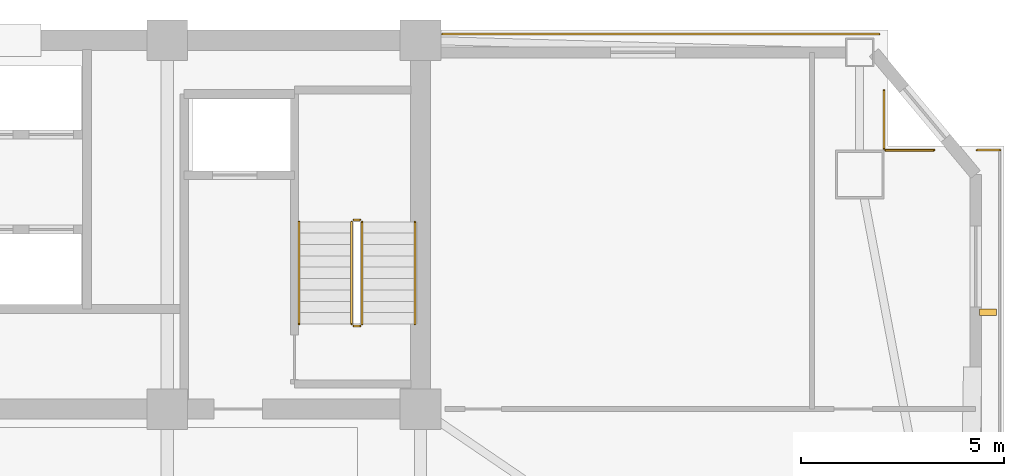
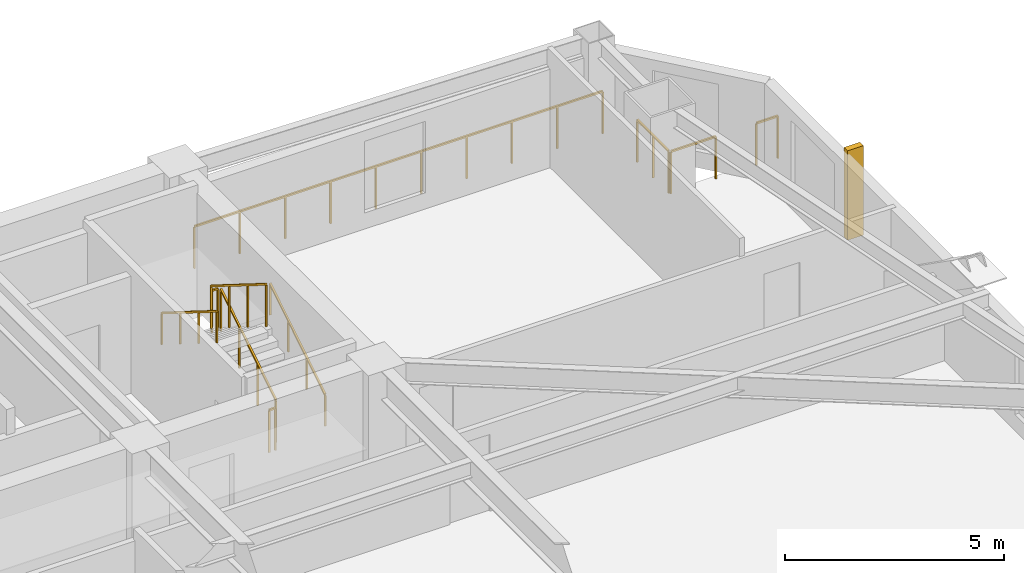
# One storey, part 15 of 15: 10 railings, 1 shading device.
"""IFC4 building model written with IfcOpenShell, lengths in metres."""

from ifc_helpers import new_model, si_unit, direction, frame, origin, origin_2d, place, context, subcontext, project, spatial, rectangle, extrude, source, transform, mapped, material, type_object, element, save


model = new_model("IFC4")

# Units and contexts
model_context = context("Model", 3, precision=1e-05, world=origin(), true_north=direction((0.0, 1.0)))
body_context = subcontext(model_context, "Body", "Model", "MODEL_VIEW")
ifc_project = project(units=[si_unit("LENGTHUNIT", "METRE"), si_unit("AREAUNIT", "SQUARE_METRE"), si_unit("VOLUMEUNIT", "CUBIC_METRE"), si_unit("PLANEANGLEUNIT", "RADIAN"), si_unit("MASSUNIT", "GRAM", prefix="KILO")], contexts=[model_context])

# Site, building, storey
site_placement = place(None, origin())
site = spatial("IfcSite", under=ifc_project, at=site_placement, CompositionType="ELEMENT")
building_placement = place(site_placement, origin())
building = spatial("IfcBuilding", under=site, at=building_placement, Name="Giltprow Tower", CompositionType="ELEMENT")
storey_placement = place(building_placement, frame((0.0, 0.0, 184.199951171875)))
storey = spatial("IfcBuildingStorey", under=building, at=storey_placement, Name="L46", CompositionType="ELEMENT", Elevation=184.199951171875)

# Railings
ifc_material = material(Name="Anodized bronze", Category="metal")
railing_type_1 = type_object("IfcRailingType", Name="RAIL-BALC-GUARD-1200", PredefinedType="BALUSTRADE", material=ifc_material)
railing_1_placement = place(storey_placement, frame((51.0849609375, 46.699951171875, 0.0)))
element("IfcRailing", 1, at=railing_1_placement, inside=storey, type_object=railing_type_1, Name="L46 Corner Apron Edge Balustrade 10", PredefinedType="BALUSTRADE", context=body_context, shape_type="SweptSolid", body=[
    extrude(rectangle(XDim=0.048095703125, YDim=0.048095703125, at=origin_2d()), frame((0.0, 0.0, 1.17578125), z_axis=(1.0, 0.0, 0.0), x_axis=(0.0, 1.0, 0.0)), (0.0, 0.0, 1.0), 10.78515625),
    extrude(rectangle(XDim=0.0419921875, YDim=0.0419921875, at=origin_2d()), origin(), (0.0, 0.0, 1.0), 1.15185546875),
    extrude(rectangle(XDim=0.0419921875, YDim=0.0419921875, at=origin_2d()), frame((1.1982421875, 0.0, 0.0)), (0.0, 0.0, 1.0), 1.15185546875),
    extrude(rectangle(XDim=0.0419921875, YDim=0.0419921875, at=origin_2d()), frame((2.396728515625, 0.0, 0.0)), (0.0, 0.0, 1.0), 1.15185546875),
    extrude(rectangle(XDim=0.0419921875, YDim=0.0419921875, at=origin_2d()), frame((3.594970703125, 0.0, 0.0)), (0.0, 0.0, 1.0), 1.15185546875),
    extrude(rectangle(XDim=0.0419921875, YDim=0.0419921875, at=origin_2d()), frame((4.79345703125, 0.0, 0.0)), (0.0, 0.0, 1.0), 1.15185546875),
    extrude(rectangle(XDim=0.0419921875, YDim=0.0419921875, at=origin_2d()), frame((5.99169921875, 0.0, 0.0)), (0.0, 0.0, 1.0), 1.15185546875),
    extrude(rectangle(XDim=0.0419921875, YDim=0.0419921875, at=origin_2d()), frame((7.190185546875, 0.0, 0.0)), (0.0, 0.0, 1.0), 1.15185546875),
    extrude(rectangle(XDim=0.0419921875, YDim=0.0419921875, at=origin_2d()), frame((8.388427734375, 0.0, 0.0)), (0.0, 0.0, 1.0), 1.15185546875),
    extrude(rectangle(XDim=0.0419921875, YDim=0.0419921875, at=origin_2d()), frame((9.5869140625, 0.0, 0.0)), (0.0, 0.0, 1.0), 1.15185546875),
    extrude(rectangle(XDim=0.0419921875, YDim=0.0419921875, at=origin_2d()), frame((10.78515625, 0.0, 0.0)), (0.0, 0.0, 1.0), 1.15185546875),
])
railing_2_placement = place(storey_placement, frame((61.986083984375, 45.31005859375, 0.0)))
element("IfcRailing", 2, at=railing_2_placement, inside=storey, type_object=railing_type_1, Name="L46 Corner Apron Edge Balustrade 11", PredefinedType="BALUSTRADE", context=body_context, shape_type="SweptSolid", body=[
    extrude(rectangle(XDim=0.048095703125, YDim=0.048095703125, at=origin_2d()), frame((0.0, 0.0, 1.17578125), z_axis=(0.0, -1.0, 0.0), x_axis=(1.0, 0.0, 0.0)), (0.0, 0.0, 1.0), 1.43603515625),
    extrude(rectangle(XDim=0.0419921875, YDim=0.0419921875, at=origin_2d()), origin(), (0.0, 0.0, 1.0), 1.15185546875),
    extrude(rectangle(XDim=0.0419921875, YDim=0.0419921875, at=origin_2d()), frame((0.0, -0.718017578125, 0.0)), (0.0, 0.0, 1.0), 1.15185546875),
    extrude(rectangle(XDim=0.0419921875, YDim=0.0419921875, at=origin_2d()), frame((0.0, -1.43603515625, 0.0)), (0.0, 0.0, 1.0), 1.15185546875),
])
railing_3_placement = place(storey_placement, frame((62.02099609375, 43.839111328125, 0.0)))
element("IfcRailing", 3, at=railing_3_placement, inside=storey, type_object=railing_type_1, Name="L46 Corner Apron Edge Balustrade 12", PredefinedType="BALUSTRADE", context=body_context, shape_type="SweptSolid", body=[
    extrude(rectangle(XDim=0.048095703125, YDim=0.048095703125, at=origin_2d()), frame((0.0, 0.0, 1.17578125), z_axis=(1.0, 0.0, 0.0), x_axis=(0.0, 1.0, 0.0)), (0.0, 0.0, 1.0), 1.19189453125),
    extrude(rectangle(XDim=0.0419921875, YDim=0.0419921875, at=origin_2d()), origin(), (0.0, 0.0, 1.0), 1.15185546875),
    extrude(rectangle(XDim=0.0419921875, YDim=0.0419921875, at=origin_2d()), frame((1.19189453125, 0.0, 0.0)), (0.0, 0.0, 1.0), 1.15185546875),
])
railing_4_placement = place(storey_placement, frame((64.280029296875, 43.839111328125, 0.0)))
element("IfcRailing", 4, at=railing_4_placement, inside=storey, type_object=railing_type_1, Name="L46 Corner Apron Edge Balustrade 13", PredefinedType="BALUSTRADE", context=body_context, shape_type="SweptSolid", body=[
    extrude(rectangle(XDim=0.048095703125, YDim=0.048095703125, at=origin_2d()), frame((0.0, 0.0, 1.17578125), z_axis=(1.0, 0.0, 0.0), x_axis=(0.0, 1.0, 0.0)), (0.0, 0.0, 1.0), 0.56689453125),
    extrude(rectangle(XDim=0.0419921875, YDim=0.0419921875, at=origin_2d()), origin(), (0.0, 0.0, 1.0), 1.15185546875),
    extrude(rectangle(XDim=0.0419921875, YDim=0.0419921875, at=origin_2d()), frame((0.56689453125, 0.0, 0.0)), (0.0, 0.0, 1.0), 1.15185546875),
])
railing_type_2 = type_object("IfcRailingType", Name="RAIL-STAIR-GUARD-1200", PredefinedType="GUARDRAIL", material=ifc_material)
railing_5_placement = place(storey_placement, frame((49.110107421875, 39.550048828125, 0.175048828125)))
element("IfcRailing", 5, at=railing_5_placement, inside=storey, type_object=railing_type_2, Name="L46 ST-3 stair guard 1", PredefinedType="GUARDRAIL", context=body_context, shape_type="SweptSolid", body=[
    extrude(rectangle(XDim=0.048095703125, YDim=0.048095703125, at=origin_2d()), frame((0.0, 0.0, 1.17578125), z_axis=(0.0, 0.848007534815, 0.529984170421), x_axis=(-1.0, 0.0, 0.0)), (0.0, 0.0, 1.0), 2.9716796875),
    extrude(rectangle(XDim=0.0419921875, YDim=0.0419921875, at=origin_2d()), origin(), (0.0, 0.0, 1.0), 1.15185546875),
    extrude(rectangle(XDim=0.0419921875, YDim=0.0419921875, at=origin_2d()), frame((0.0, 0.840087890625, 0.52490234375)), (0.0, 0.0, 1.0), 1.15185546875),
    extrude(rectangle(XDim=0.0419921875, YDim=0.0419921875, at=origin_2d()), frame((0.0, 1.679931640625, 1.050048828125)), (0.0, 0.0, 1.0), 1.15185546875),
    extrude(rectangle(XDim=0.0419921875, YDim=0.0419921875, at=origin_2d()), frame((0.0, 2.52001953125, 1.574951171875)), (0.0, 0.0, 1.0), 1.15185546875),
])
railing_6_placement = place(storey_placement, frame((49.06005859375, 42.1201171875, 1.75)))
element("IfcRailing", 6, at=railing_6_placement, inside=storey, type_object=railing_type_2, Name="L46 ST-3 stair guard 2", PredefinedType="GUARDRAIL", context=body_context, shape_type="SweptSolid", body=[
    extrude(rectangle(XDim=0.048095703125, YDim=0.048095703125, at=origin_2d()), frame((0.0, 0.0, 1.17578125), z_axis=(-1.0, 0.0, 0.0), x_axis=(0.0, -1.0, 0.0)), (0.0, 0.0, 1.0), 0.16015625),
    extrude(rectangle(XDim=0.0419921875, YDim=0.0419921875, at=origin_2d()), origin(), (0.0, 0.0, 1.0), 1.15185546875),
    extrude(rectangle(XDim=0.0419921875, YDim=0.0419921875, at=origin_2d()), frame((-0.16015625, 0.0, 0.0)), (0.0, 0.0, 1.0), 1.15185546875),
])
railing_7_placement = place(storey_placement, frame((48.85009765625, 42.070068359375, 1.925048828125)))
element("IfcRailing", 7, at=railing_7_placement, inside=storey, type_object=railing_type_2, Name="L46 ST-3 stair guard 3", PredefinedType="GUARDRAIL", context=body_context, shape_type="SweptSolid", body=[
    extrude(rectangle(XDim=0.048095703125, YDim=0.048095703125, at=origin_2d()), frame((0.0, 0.0, 1.17578125), z_axis=(0.0, -0.848007534815, 0.529984170421), x_axis=(1.0, 0.0, 0.0)), (0.0, 0.0, 1.0), 2.9716796875),
    extrude(rectangle(XDim=0.0419921875, YDim=0.0419921875, at=origin_2d()), origin(), (0.0, 0.0, 1.0), 1.15185546875),
    extrude(rectangle(XDim=0.0419921875, YDim=0.0419921875, at=origin_2d()), frame((0.0, -0.840087890625, 0.52490234375)), (0.0, 0.0, 1.0), 1.15185546875),
    extrude(rectangle(XDim=0.0419921875, YDim=0.0419921875, at=origin_2d()), frame((0.0, -1.679931640625, 1.050048828125)), (0.0, 0.0, 1.0), 1.15185546875),
    extrude(rectangle(XDim=0.0419921875, YDim=0.0419921875, at=origin_2d()), frame((0.0, -2.52001953125, 1.574951171875)), (0.0, 0.0, 1.0), 1.15185546875),
])
railing_8_placement = place(storey_placement, frame((49.06005859375, 39.5, 0.0)))
element("IfcRailing", 8, at=railing_8_placement, inside=storey, type_object=railing_type_2, Name="L46 ST-3 stair guard 4", PredefinedType="GUARDRAIL", context=body_context, shape_type="SweptSolid", body=[
    extrude(rectangle(XDim=0.048095703125, YDim=0.048095703125, at=origin_2d()), frame((0.0, 0.0, 1.17578125), z_axis=(-1.0, 0.0, 0.0), x_axis=(0.0, -1.0, 0.0)), (0.0, 0.0, 1.0), 0.16015625),
    extrude(rectangle(XDim=0.0419921875, YDim=0.0419921875, at=origin_2d()), origin(), (0.0, 0.0, 1.0), 1.15185546875),
    extrude(rectangle(XDim=0.0419921875, YDim=0.0419921875, at=origin_2d()), frame((-0.16015625, 0.0, 0.0)), (0.0, 0.0, 1.0), 1.15185546875),
])
railing_type_3 = type_object("IfcRailingType", Name="RAIL-STAIR-HAND-900", PredefinedType="HANDRAIL", material=ifc_material)
railing_9_placement = place(storey_placement, frame((50.409912109375, 39.550048828125, 0.175048828125)))
element("IfcRailing", 9, at=railing_9_placement, inside=storey, type_object=railing_type_3, Name="L46 ST-3 stair handrail 1", PredefinedType="HANDRAIL", context=body_context, shape_type="SweptSolid", body=[
    extrude(rectangle(XDim=0.048095703125, YDim=0.048095703125, at=origin_2d()), frame((0.0, 0.0, 0.8759765625), z_axis=(0.0, 0.848007534815, 0.529984170421), x_axis=(-1.0, 0.0, 0.0)), (0.0, 0.0, 1.0), 2.9716796875),
    extrude(rectangle(XDim=0.0419921875, YDim=0.0419921875, at=origin_2d()), origin(), (0.0, 0.0, 1.0), 0.851806640625),
    extrude(rectangle(XDim=0.0419921875, YDim=0.0419921875, at=origin_2d()), frame((0.0, 0.840087890625, 0.52490234375)), (0.0, 0.0, 1.0), 0.851806640625),
    extrude(rectangle(XDim=0.0419921875, YDim=0.0419921875, at=origin_2d()), frame((0.0, 1.679931640625, 1.050048828125)), (0.0, 0.0, 1.0), 0.851806640625),
    extrude(rectangle(XDim=0.0419921875, YDim=0.0419921875, at=origin_2d()), frame((0.0, 2.52001953125, 1.574951171875)), (0.0, 0.0, 1.0), 0.851806640625),
])
railing_10_placement = place(storey_placement, frame((47.550048828125, 42.070068359375, 1.925048828125)))
element("IfcRailing", 10, at=railing_10_placement, inside=storey, type_object=railing_type_3, Name="L46 ST-3 stair handrail 2", PredefinedType="HANDRAIL", context=body_context, shape_type="SweptSolid", body=[
    extrude(rectangle(XDim=0.048095703125, YDim=0.048095703125, at=origin_2d()), frame((0.0, 0.0, 0.8759765625), z_axis=(0.0, -0.848007534815, 0.529984170421), x_axis=(1.0, 0.0, 0.0)), (0.0, 0.0, 1.0), 2.9716796875),
    extrude(rectangle(XDim=0.0419921875, YDim=0.0419921875, at=origin_2d()), origin(), (0.0, 0.0, 1.0), 0.851806640625),
    extrude(rectangle(XDim=0.0419921875, YDim=0.0419921875, at=origin_2d()), frame((0.0, -0.840087890625, 0.52490234375)), (0.0, 0.0, 1.0), 0.851806640625),
    extrude(rectangle(XDim=0.0419921875, YDim=0.0419921875, at=origin_2d()), frame((0.0, -1.679931640625, 1.050048828125)), (0.0, 0.0, 1.0), 0.851806640625),
    extrude(rectangle(XDim=0.0419921875, YDim=0.0419921875, at=origin_2d()), frame((0.0, -2.52001953125, 1.574951171875)), (0.0, 0.0, 1.0), 0.851806640625),
])

# Shading device
shading_device_type = type_object("IfcShadingDeviceType", Name="SHD-FIN-420", PredefinedType="USERDEFINED", material=ifc_material)
shared_shape = source(origin(), body_context, "Body", "SweptSolid", [
    extrude(rectangle(XDim=0.419921875, YDim=0.159912109375, at=origin_2d()), origin(), (0.0, 0.0, 1.0), 2.5),
])
shading_device_placement = place(storey_placement, frame((64.547119140625, 39.843994140625, 0.35009765625), z_axis=(0.0, 0.0, 1.0), x_axis=(1.0, 0.0, 0.0)))
element("IfcShadingDevice", 11, at=shading_device_placement, inside=storey, type_object=shading_device_type, Name="L46 E Bronze Vertical Fin 2-2", ObjectType="FIN", PredefinedType="USERDEFINED", context=body_context, shape_type="MappedRepresentation", body=[
    mapped(shared_shape, transform((0.0, 0.0, 0.0), x_axis=(1.0, 0.0, 0.0), y_axis=(0.0, 1.0, 0.0), z_axis=(0.0, 0.0, 1.0), scale=1.0)),
])

save(model, "model.ifc")
